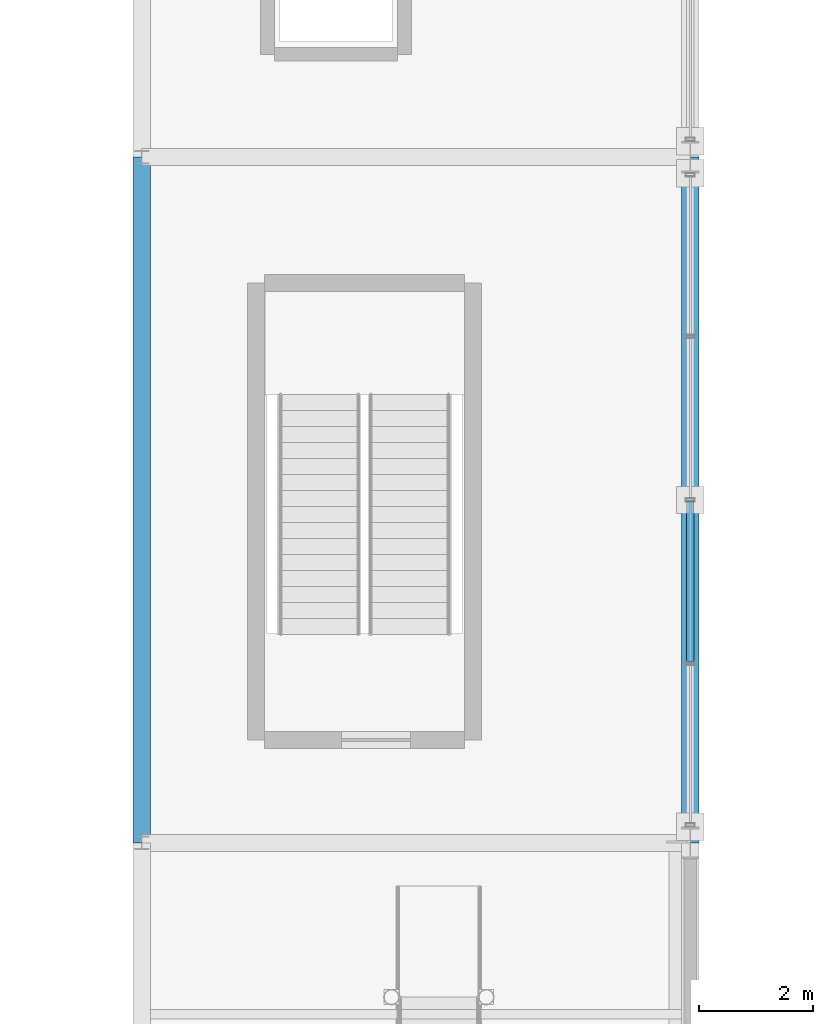
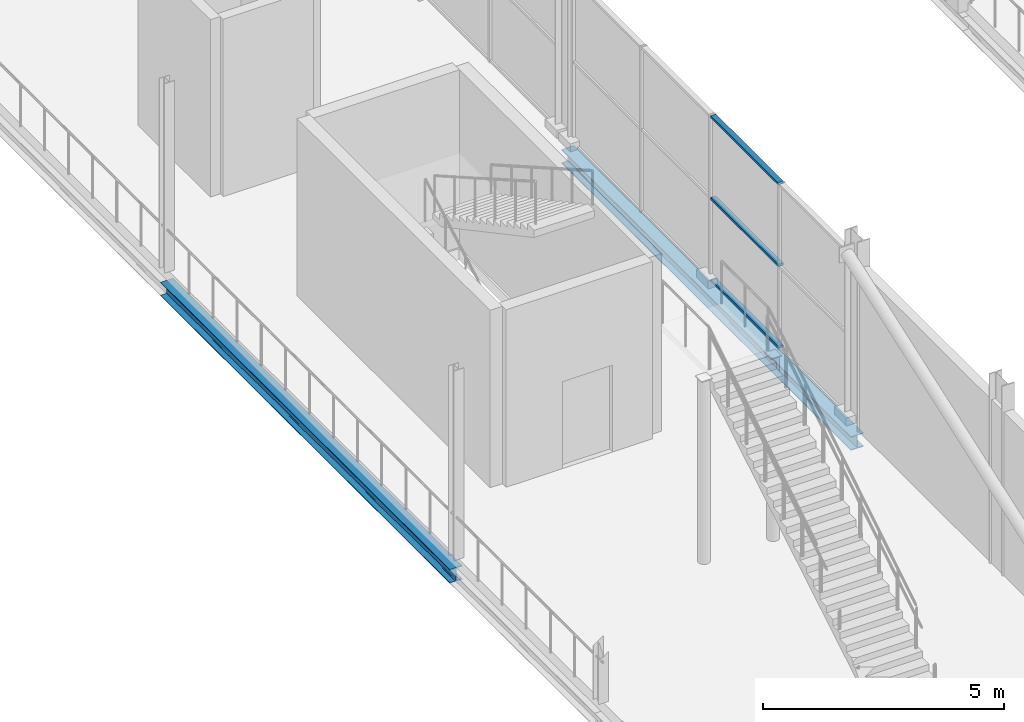
# One storey, part 41 of 159: 3 members, 2 beams, 1 element without a shape of its own.
"""IFC4 building model written with IfcOpenShell, lengths in metres."""

from ifc_helpers import new_model, si_unit, direction, frame, origin, origin_2d, place, context, subcontext, project, spatial, hollow_rectangle, i_section, extrude, material, material_profile, profile_set, type_object, element, aggregate, save


model = new_model("IFC4")

# Units and contexts
model_context = context("Model", 3, precision=1e-05, world=origin(), true_north=direction((0.0, 1.0)))
body_context = subcontext(model_context, "Body", "Model", "MODEL_VIEW")
ifc_project = project(units=[si_unit("LENGTHUNIT", "METRE"), si_unit("AREAUNIT", "SQUARE_METRE"), si_unit("VOLUMEUNIT", "CUBIC_METRE"), si_unit("PLANEANGLEUNIT", "RADIAN"), si_unit("MASSUNIT", "GRAM", prefix="KILO")], contexts=[model_context])

# Site, building, storey
site_placement = place(None, origin())
site = spatial("IfcSite", under=ifc_project, at=site_placement, CompositionType="ELEMENT")
building_placement = place(site_placement, origin())
building = spatial("IfcBuilding", under=site, at=building_placement, Name="Merenkruunu Market Hall", CompositionType="ELEMENT")
storey_placement = place(building_placement, frame((0.0, 0.0, 5.39990234375)))
storey = spatial("IfcBuildingStorey", under=building, at=storey_placement, Name="L01", CompositionType="ELEMENT", Elevation=5.39990234375)

# Curtain wall, members
ifc_material_1 = material(Name="Powder-coated aluminium", Category="aluminium")
curtain_wall_type = type_object("IfcCurtainWallType", Name="Glazed Curtain Wall CW15", PredefinedType="USERDEFINED", material=ifc_material_1)
curtain_wall_placement = place(storey_placement, origin())
curtain_wall = element("IfcCurtainWall", 1, at=curtain_wall_placement, inside=storey, type_object=curtain_wall_type, Name="CW-L01-CWM01-128", ObjectType="GLAZED_FACADE", PredefinedType="USERDEFINED")
ifc_material_profile_1 = material_profile(ifc_material_1, hollow_rectangle(XDim=0.06005859375, YDim=0.125, WallThickness=0.00390625, at=origin_2d()), Name="ALU 60x125x4")
ifc_profile_set_1 = profile_set([ifc_material_profile_1], Name="Powder-coated aluminium")
member_type = type_object("IfcMemberType", Name="Curtain Wall Transom CWT01", PredefinedType="USERDEFINED", material=ifc_profile_set_1)
member_1_placement = place(storey_placement, frame((57.60009765625, 54.77001953125, 0.030029296875), z_axis=(0.0, 1.0, 0.0), x_axis=(0.0, 0.0, 1.0)))
member_1 = element("IfcMember", 2, at=member_1_placement, type_object=member_type, Name="CW15 transom 2.1", ObjectType="TRANSOM", PredefinedType="USERDEFINED", context=body_context, shape_type="SweptSolid", body=[
    extrude(hollow_rectangle(XDim=0.06005859375, YDim=0.125, WallThickness=0.00390625, at=origin_2d()), origin(), (0.0, 0.0, 1.0), 2.800048828125),
])
member_2_placement = place(storey_placement, frame((57.60009765625, 54.77001953125, 2.10009765625), z_axis=(0.0, 1.0, 0.0), x_axis=(0.0, 0.0, 1.0)))
member_2 = element("IfcMember", 3, at=member_2_placement, type_object=member_type, Name="CW15 transom 2.2", ObjectType="TRANSOM", PredefinedType="USERDEFINED", context=body_context, shape_type="SweptSolid", body=[
    extrude(hollow_rectangle(XDim=0.06005859375, YDim=0.125, WallThickness=0.00390625, at=origin_2d()), origin(), (0.0, 0.0, 1.0), 2.800048828125),
])
member_3_placement = place(storey_placement, frame((57.60009765625, 54.77001953125, 4.170166015625), z_axis=(0.0, 1.0, 0.0), x_axis=(0.0, 0.0, 1.0)))
member_3 = element("IfcMember", 4, at=member_3_placement, type_object=member_type, Name="CW15 transom 2.3", ObjectType="TRANSOM", PredefinedType="USERDEFINED", context=body_context, shape_type="SweptSolid", body=[
    extrude(hollow_rectangle(XDim=0.06005859375, YDim=0.125, WallThickness=0.00390625, at=origin_2d()), origin(), (0.0, 0.0, 1.0), 2.800048828125),
])
aggregate(curtain_wall, [member_1, member_2, member_3])

# Beams
ifc_material_2 = material(Name="Steel S355J2", Category="steel")
ifc_material_profile_2 = material_profile(ifc_material_2, i_section(OverallWidth=0.300048828125, OverallDepth=0.35009765625, WebThickness=0.010009765625, FlangeThickness=0.017578125, FilletRadius=0.027099609375, at=origin_2d()), Name="HEA 360")
ifc_profile_set_2 = profile_set([ifc_material_profile_2], Name="Steel S355J2")
beam_type = type_object("IfcBeamType", Name="Primary Floor Girder B08", PredefinedType="BEAM", material=ifc_profile_set_2)
for number, where, z_axis, x_axis, name in (
    (5, (48.0, 51.60009765625, -0.454833984375), (0.0, 1.0, 0.0), (-1.0, 0.0, 0.0), "BM-L01-B08-0575"),
    (6, (57.60009765625, 51.60009765625, -0.454833984375), (0.0, 1.0, 0.0), (-1.0, 0.0, 0.0), "BM-L01-B08-0584"),
):
    element("IfcBeam", number, at=place(storey_placement, frame(where, z_axis=z_axis, x_axis=x_axis)), inside=storey, type_object=beam_type, Name=name, PredefinedType="BEAM", context=body_context, shape_type="SweptSolid", body=[
        extrude(i_section(OverallWidth=0.300048828125, OverallDepth=0.35009765625, WebThickness=0.010009765625, FlangeThickness=0.017578125, FilletRadius=0.027099609375, at=origin_2d()), origin(), (0.0, 0.0, 1.0), 12.0),
    ])

save(model, "model.ifc")
